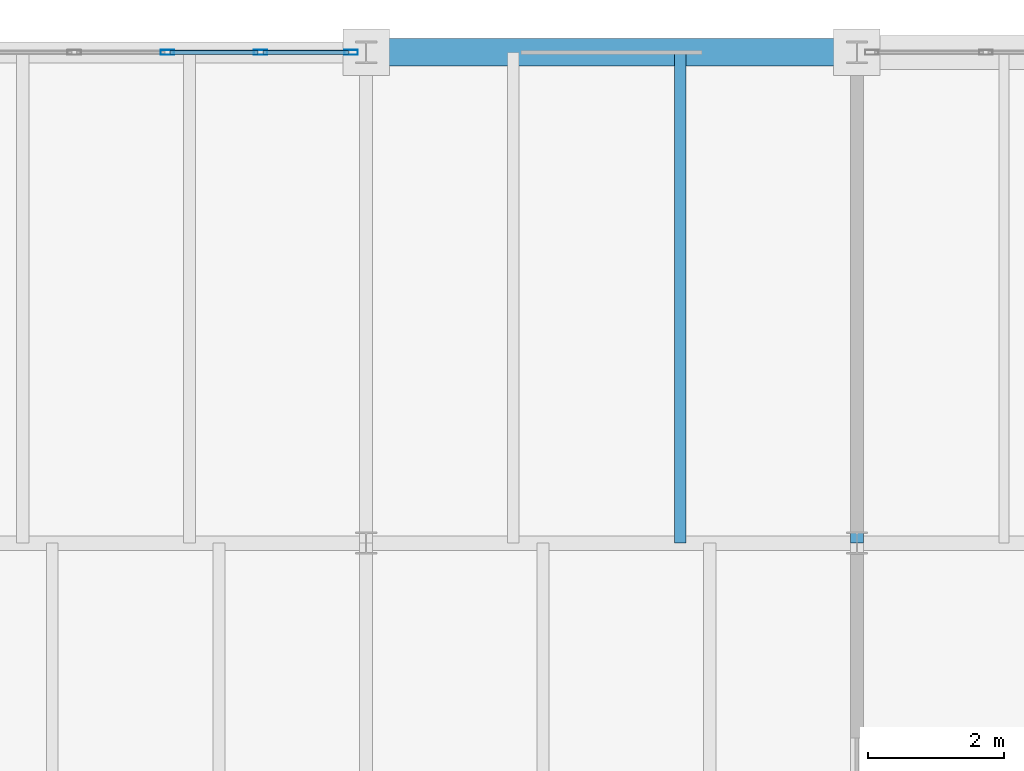
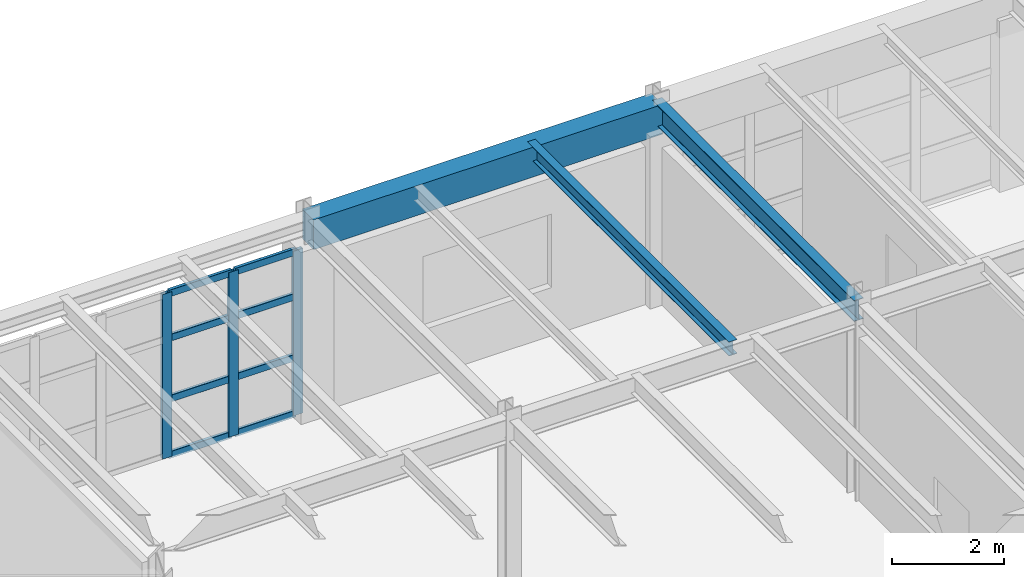
# One storey, part 63 of 137: 11 members, 3 beams, 1 element without a shape of its own.
"""IFC4 building model written with IfcOpenShell, lengths in metres."""

from ifc_helpers import new_model, si_unit, direction, frame, origin, origin_2d, place, context, subcontext, project, spatial, rectangle, hollow_rectangle, i_section, extrude, material, layer, layer_set, material_profile, profile_set, type_object, element, aggregate, save


model = new_model("IFC4")

# Units and contexts
model_context = context("Model", 3, precision=1e-05, world=origin(), true_north=direction((0.0, 1.0)))
body_context = subcontext(model_context, "Body", "Model", "MODEL_VIEW")
ifc_project = project(units=[si_unit("LENGTHUNIT", "METRE"), si_unit("AREAUNIT", "SQUARE_METRE"), si_unit("VOLUMEUNIT", "CUBIC_METRE"), si_unit("PLANEANGLEUNIT", "RADIAN"), si_unit("MASSUNIT", "GRAM", prefix="KILO")], contexts=[model_context])

# Site, building, storey
site_placement = place(None, origin())
site = spatial("IfcSite", under=ifc_project, at=site_placement, CompositionType="ELEMENT")
building_placement = place(site_placement, origin())
building = spatial("IfcBuilding", under=site, at=building_placement, Name="Kemerveld Promenade Tramway Depot", CompositionType="ELEMENT")
storey_placement = place(building_placement, frame((0.0, 0.0, 5.39990234375)))
storey = spatial("IfcBuildingStorey", under=building, at=storey_placement, Name="L01", CompositionType="ELEMENT", Elevation=5.39990234375)

# Beams
ifc_material_1 = material(Name="Steel S355", Category="steel")
ifc_material_profile_1 = material_profile(ifc_material_1, i_section(OverallWidth=0.19140625, OverallDepth=0.4599609375, WebThickness=0.010009765625, FlangeThickness=0.01611328125, FilletRadius=0.01025390625, at=origin_2d()), Name="457x191x82 UB")
ifc_profile_set_1 = profile_set([ifc_material_profile_1], Name="Steel S355")
beam_type_1 = type_object("IfcBeamType", Name="BM-G06", PredefinedType="BEAM", material=ifc_profile_set_1)
beam_1_placement = place(storey_placement, frame((43.199951171875, 72.0, 4.030029296875), z_axis=(0.0, 1.0, 0.0), x_axis=(-1.0, 0.0, 0.0)))
element("IfcBeam", 1, at=beam_1_placement, inside=storey, type_object=beam_type_1, Name="BMY-L01-07-L-M", PredefinedType="BEAM", context=body_context, shape_type="SweptSolid", body=[
    extrude(i_section(OverallWidth=0.19140625, OverallDepth=0.4599609375, WebThickness=0.010009765625, FlangeThickness=0.01611328125, FilletRadius=0.01025390625, at=origin_2d()), origin(), (0.0, 0.0, 1.0), 7.199951171875),
])
ifc_material_profile_2 = material_profile(ifc_material_1, i_section(OverallWidth=0.165771484375, OverallDepth=0.306640625, WebThickness=0.006591796875, FlangeThickness=0.01171875, FilletRadius=0.0087890625, at=origin_2d()), Name="305x165x46 UB")
ifc_profile_set_2 = profile_set([ifc_material_profile_2], Name="Steel S355")
beam_type_2 = type_object("IfcBeamType", Name="BM-J01", PredefinedType="JOIST", material=ifc_profile_set_2)
beam_2_placement = place(storey_placement, frame((40.60791015625, 72.0, 4.106689453125), z_axis=(0.0, 1.0, 0.0), x_axis=(-1.0, 0.0, 0.0)))
element("IfcBeam", 2, at=beam_2_placement, inside=storey, type_object=beam_type_2, Name="JST-L01-06-L-2", PredefinedType="JOIST", context=body_context, shape_type="SweptSolid", body=[
    extrude(i_section(OverallWidth=0.165771484375, OverallDepth=0.306640625, WebThickness=0.006591796875, FlangeThickness=0.01171875, FilletRadius=0.0087890625, at=origin_2d()), origin(), (0.0, 0.0, 1.0), 7.199951171875),
])
ifc_material_2 = material(Name="Concrete C40/50", Category="concrete")
ifc_material_profile_3 = material_profile(ifc_material_2, rectangle(XDim=0.39990234375, YDim=0.64990234375, at=origin_2d()), Name="RC-BM-400x650")
ifc_profile_set_3 = profile_set([ifc_material_profile_3], Name="Concrete C40/50")
beam_type_3 = type_object("IfcBeamType", Name="BM-RC1", PredefinedType="BEAM", material=ifc_profile_set_3)
beam_3_placement = place(storey_placement, frame((36.0, 79.199951171875, 3.93505859375), z_axis=(1.0, 0.0, 0.0), x_axis=(0.0, 1.0, 0.0)))
element("IfcBeam", 3, at=beam_3_placement, inside=storey, type_object=beam_type_3, Name="BMX-L01-06-07-M", PredefinedType="BEAM", context=body_context, shape_type="SweptSolid", body=[
    extrude(rectangle(XDim=0.39990234375, YDim=0.64990234375, at=origin_2d()), origin(), (0.0, 0.0, 1.0), 7.199951171875),
])

# Curtain wall, members
ifc_material_3 = material(Name="Bronze anodised aluminium and solar glass", Category="aluminium")
ifc_layer = layer(ifc_material_3, 0.199951171875)
ifc_layer_set = layer_set([ifc_layer], Name="CW-SYS-08")
curtain_wall_type = type_object("IfcCurtainWallType", Name="CW-SYS-08", PredefinedType="USERDEFINED", material=ifc_layer_set)
curtain_wall_placement = place(storey_placement, origin())
curtain_wall = element("IfcCurtainWall", 4, at=curtain_wall_placement, inside=storey, type_object=curtain_wall_type, Name="CW-L01-V5N-05", ObjectType="GLAZED_CURTAIN_WALL", PredefinedType="USERDEFINED")
ifc_material_4 = material(Name="Bronze anodised aluminium", Category="aluminium")
ifc_material_profile_4 = material_profile(ifc_material_4, hollow_rectangle(XDim=0.074951171875, YDim=0.199951171875, WallThickness=0.0048828125, InnerFilletRadius=0.001953125, OuterFilletRadius=0.0048828125, at=origin_2d()), Name="CW-MUL-200x75")
ifc_profile_set_4 = profile_set([ifc_material_profile_4], Name="Bronze anodised aluminium")
member_type_1 = type_object("IfcMemberType", Name="CW-MUL-B", PredefinedType="MULLION", material=ifc_profile_set_4)
member_1_placement = place(storey_placement, frame((33.083251953125, 79.199951171875, 0.0), z_axis=(0.0, 0.0, 1.0), x_axis=(0.0, 1.0, 0.0)))
member_1 = element("IfcMember", 5, at=member_1_placement, type_object=member_type_1, Name="CW08 mullion 4", PredefinedType="MULLION", context=body_context, shape_type="SweptSolid", body=[
    extrude(hollow_rectangle(XDim=0.074951171875, YDim=0.199951171875, WallThickness=0.0048828125, InnerFilletRadius=0.001953125, OuterFilletRadius=0.0048828125, at=origin_2d()), origin(), (0.0, 0.0, 1.0), 3.590087890625),
])
member_2_placement = place(storey_placement, frame((34.449951171875, 79.199951171875, 0.0), z_axis=(0.0, 0.0, 1.0), x_axis=(0.0, 1.0, 0.0)))
member_2 = element("IfcMember", 6, at=member_2_placement, type_object=member_type_1, Name="CW08 mullion 5", PredefinedType="MULLION", context=body_context, shape_type="SweptSolid", body=[
    extrude(hollow_rectangle(XDim=0.074951171875, YDim=0.199951171875, WallThickness=0.0048828125, InnerFilletRadius=0.001953125, OuterFilletRadius=0.0048828125, at=origin_2d()), origin(), (0.0, 0.0, 1.0), 3.590087890625),
])
member_3_placement = place(storey_placement, frame((35.779052734375, 79.199951171875, 0.0), z_axis=(0.0, 0.0, 1.0), x_axis=(0.0, 1.0, 0.0)))
member_3 = element("IfcMember", 7, at=member_3_placement, type_object=member_type_1, Name="CW08 mullion 6", PredefinedType="MULLION", context=body_context, shape_type="SweptSolid", body=[
    extrude(hollow_rectangle(XDim=0.074951171875, YDim=0.199951171875, WallThickness=0.0048828125, InnerFilletRadius=0.001953125, OuterFilletRadius=0.0048828125, at=origin_2d()), origin(), (0.0, 0.0, 1.0), 3.590087890625),
])
ifc_material_profile_5 = material_profile(ifc_material_4, hollow_rectangle(XDim=0.06494140625, YDim=0.14990234375, WallThickness=0.00439453125, InnerFilletRadius=0.001953125, OuterFilletRadius=0.00439453125, at=origin_2d()), Name="CW-TRN-150x65")
ifc_profile_set_5 = profile_set([ifc_material_profile_5], Name="Bronze anodised aluminium")
member_type_2 = type_object("IfcMemberType", Name="CW-TRN-B", PredefinedType="USERDEFINED", material=ifc_profile_set_5)
member_4_placement = place(storey_placement, frame((33.120849609375, 79.199951171875, 0.03271484375), z_axis=(1.0, 0.0, 0.0), x_axis=(0.0, 1.0, 0.0)))
member_4 = element("IfcMember", 8, at=member_4_placement, type_object=member_type_2, Name="CW08 transom 4.1", ObjectType="TRANSOM", PredefinedType="USERDEFINED", context=body_context, shape_type="SweptSolid", body=[
    extrude(hollow_rectangle(XDim=0.06494140625, YDim=0.14990234375, WallThickness=0.00439453125, InnerFilletRadius=0.001953125, OuterFilletRadius=0.00439453125, at=origin_2d()), origin(), (0.0, 0.0, 1.0), 1.29150390625),
])
member_5_placement = place(storey_placement, frame((33.120849609375, 79.199951171875, 1.257080078125), z_axis=(1.0, 0.0, 0.0), x_axis=(0.0, 1.0, 0.0)))
member_5 = element("IfcMember", 9, at=member_5_placement, type_object=member_type_2, Name="CW08 transom 4.2", ObjectType="TRANSOM", PredefinedType="USERDEFINED", context=body_context, shape_type="SweptSolid", body=[
    extrude(hollow_rectangle(XDim=0.06494140625, YDim=0.14990234375, WallThickness=0.00439453125, InnerFilletRadius=0.001953125, OuterFilletRadius=0.00439453125, at=origin_2d()), origin(), (0.0, 0.0, 1.0), 1.29150390625),
])
member_6_placement = place(storey_placement, frame((33.120849609375, 79.199951171875, 2.585205078125), z_axis=(1.0, 0.0, 0.0), x_axis=(0.0, 1.0, 0.0)))
member_6 = element("IfcMember", 10, at=member_6_placement, type_object=member_type_2, Name="CW08 transom 4.3", ObjectType="TRANSOM", PredefinedType="USERDEFINED", context=body_context, shape_type="SweptSolid", body=[
    extrude(hollow_rectangle(XDim=0.06494140625, YDim=0.14990234375, WallThickness=0.00439453125, InnerFilletRadius=0.001953125, OuterFilletRadius=0.00439453125, at=origin_2d()), origin(), (0.0, 0.0, 1.0), 1.29150390625),
])
member_7_placement = place(storey_placement, frame((33.120849609375, 79.199951171875, 3.5576171875), z_axis=(1.0, 0.0, 0.0), x_axis=(0.0, 1.0, 0.0)))
member_7 = element("IfcMember", 11, at=member_7_placement, type_object=member_type_2, Name="CW08 transom 4.4", ObjectType="TRANSOM", PredefinedType="USERDEFINED", context=body_context, shape_type="SweptSolid", body=[
    extrude(hollow_rectangle(XDim=0.06494140625, YDim=0.14990234375, WallThickness=0.00439453125, InnerFilletRadius=0.001953125, OuterFilletRadius=0.00439453125, at=origin_2d()), origin(), (0.0, 0.0, 1.0), 1.29150390625),
])
member_8_placement = place(storey_placement, frame((34.4873046875, 79.199951171875, 0.03271484375), z_axis=(1.0, 0.0, 0.0), x_axis=(0.0, 1.0, 0.0)))
member_8 = element("IfcMember", 12, at=member_8_placement, type_object=member_type_2, Name="CW08 transom 5.1", ObjectType="TRANSOM", PredefinedType="USERDEFINED", context=body_context, shape_type="SweptSolid", body=[
    extrude(hollow_rectangle(XDim=0.06494140625, YDim=0.14990234375, WallThickness=0.00439453125, InnerFilletRadius=0.001953125, OuterFilletRadius=0.00439453125, at=origin_2d()), origin(), (0.0, 0.0, 1.0), 1.254150390625),
])
member_9_placement = place(storey_placement, frame((34.4873046875, 79.199951171875, 1.257080078125), z_axis=(1.0, 0.0, 0.0), x_axis=(0.0, 1.0, 0.0)))
member_9 = element("IfcMember", 13, at=member_9_placement, type_object=member_type_2, Name="CW08 transom 5.2", ObjectType="TRANSOM", PredefinedType="USERDEFINED", context=body_context, shape_type="SweptSolid", body=[
    extrude(hollow_rectangle(XDim=0.06494140625, YDim=0.14990234375, WallThickness=0.00439453125, InnerFilletRadius=0.001953125, OuterFilletRadius=0.00439453125, at=origin_2d()), origin(), (0.0, 0.0, 1.0), 1.254150390625),
])
member_10_placement = place(storey_placement, frame((34.4873046875, 79.199951171875, 2.585205078125), z_axis=(1.0, 0.0, 0.0), x_axis=(0.0, 1.0, 0.0)))
member_10 = element("IfcMember", 14, at=member_10_placement, type_object=member_type_2, Name="CW08 transom 5.3", ObjectType="TRANSOM", PredefinedType="USERDEFINED", context=body_context, shape_type="SweptSolid", body=[
    extrude(hollow_rectangle(XDim=0.06494140625, YDim=0.14990234375, WallThickness=0.00439453125, InnerFilletRadius=0.001953125, OuterFilletRadius=0.00439453125, at=origin_2d()), origin(), (0.0, 0.0, 1.0), 1.254150390625),
])
member_11_placement = place(storey_placement, frame((34.4873046875, 79.199951171875, 3.5576171875), z_axis=(1.0, 0.0, 0.0), x_axis=(0.0, 1.0, 0.0)))
member_11 = element("IfcMember", 15, at=member_11_placement, type_object=member_type_2, Name="CW08 transom 5.4", ObjectType="TRANSOM", PredefinedType="USERDEFINED", context=body_context, shape_type="SweptSolid", body=[
    extrude(hollow_rectangle(XDim=0.06494140625, YDim=0.14990234375, WallThickness=0.00439453125, InnerFilletRadius=0.001953125, OuterFilletRadius=0.00439453125, at=origin_2d()), origin(), (0.0, 0.0, 1.0), 1.254150390625),
])
aggregate(curtain_wall, [member_1, member_2, member_3, member_4, member_5, member_6, member_7, member_8, member_9, member_10, member_11])

save(model, "model.ifc")
